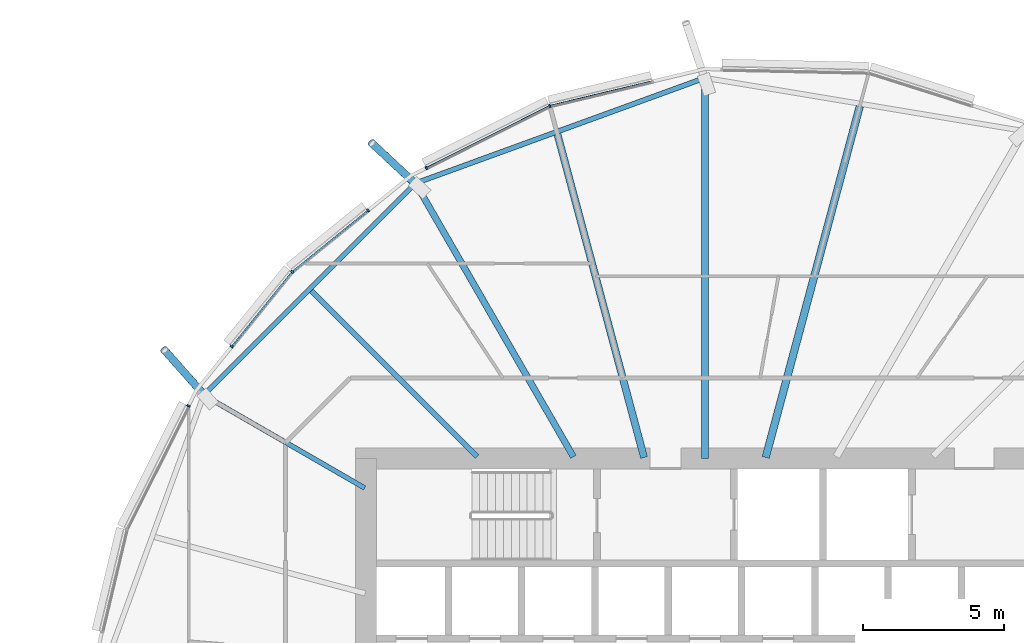
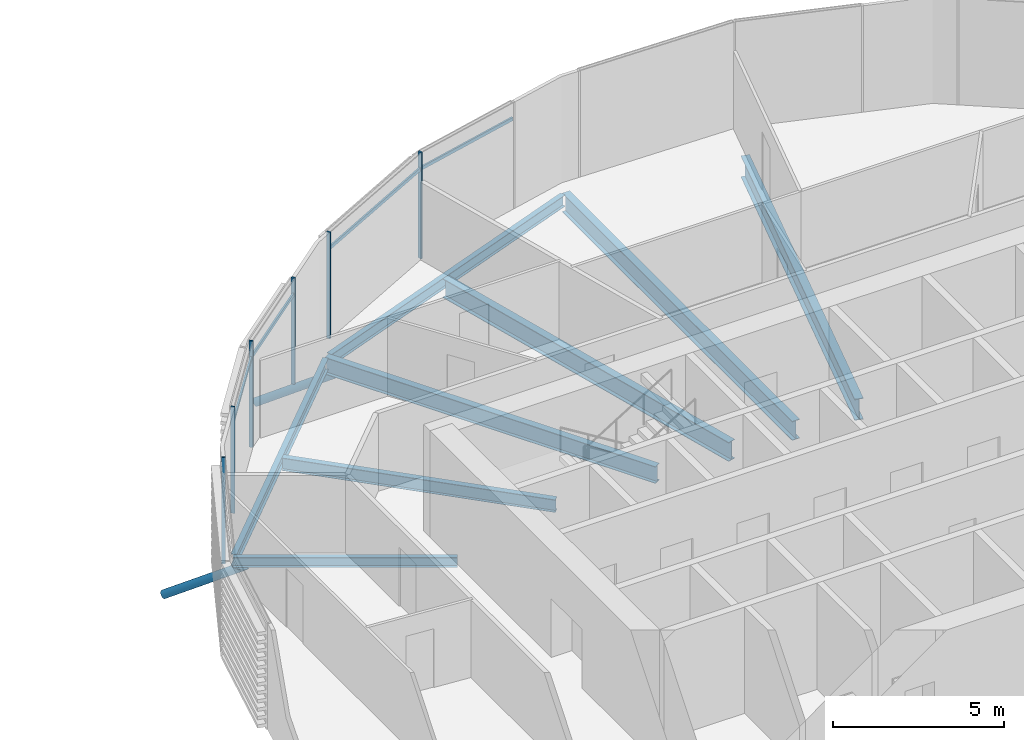
# One storey, part 17 of 38: 12 members, 8 beams, 1 element without a shape of its own.
"""IFC4 building model written with IfcOpenShell, lengths in metres."""

from ifc_helpers import new_model, si_unit, direction, frame, origin, origin_2d, place, context, subcontext, project, spatial, rectangle, hollow_circle, i_section, extrude, clip, halfspace, material, material_profile, profile_set, type_object, element, aggregate, save


model = new_model("IFC4")

# Units and contexts
model_context = context("Model", 3, precision=1e-05, world=origin(), true_north=direction((0.0, 1.0)))
body_context = subcontext(model_context, "Body", "Model", "MODEL_VIEW")
ifc_project = project(units=[si_unit("LENGTHUNIT", "METRE"), si_unit("AREAUNIT", "SQUARE_METRE"), si_unit("VOLUMEUNIT", "CUBIC_METRE"), si_unit("PLANEANGLEUNIT", "RADIAN"), si_unit("MASSUNIT", "GRAM", prefix="KILO")], contexts=[model_context])

# Site, building, storey
site_placement = place(None, origin())
site = spatial("IfcSite", under=ifc_project, at=site_placement, CompositionType="ELEMENT")
building_placement = place(site_placement, origin())
building = spatial("IfcBuilding", under=site, at=building_placement, Name="Rimbun Link Towers", CompositionType="ELEMENT")
storey_placement = place(building_placement, frame((0.0, 0.0, 119.60009765625)))
storey = spatial("IfcBuildingStorey", under=building, at=storey_placement, Name="L29", CompositionType="ELEMENT", Elevation=119.60009765625)

# Curtain wall, members
ifc_material_1 = material(Name="Aluminium 6063-T6 and low-iron glass", Category="aluminium")
curtain_wall_type = type_object("IfcCurtainWallType", Name="CW1-Z2 unitised vision wall (zone 2)", PredefinedType="NOTDEFINED", material=ifc_material_1)
curtain_wall_placement = place(storey_placement, origin())
curtain_wall = element("IfcCurtainWall", 1, at=curtain_wall_placement, inside=storey, type_object=curtain_wall_type, Name="CW1 L29 T2", PredefinedType="NOTDEFINED")
ifc_material_2 = material(Name="Aluminium 6063-T6", Category="aluminium")
ifc_material_profile_1 = material_profile(ifc_material_2, rectangle(XDim=0.1201171875, YDim=0.06005859375, at=origin_2d()), Name="MULLION 60X120")
ifc_profile_set_1 = profile_set([ifc_material_profile_1], Name="Aluminium 6063-T6")
member_type_1 = type_object("IfcMemberType", Name="CW1 mullion 60X120", PredefinedType="MULLION", material=ifc_profile_set_1)
member_1_placement = place(storey_placement, frame((26.25732421875, 20.47802734375, 0.0), z_axis=(0.0, 0.0, 1.0), x_axis=(-0.342974549868, 0.939344696127, 0.0)))
member_1 = element("IfcMember", 2, at=member_1_placement, type_object=member_type_1, Name="CW1 mullion", PredefinedType="MULLION", context=body_context, shape_type="SweptSolid", body=[
    extrude(rectangle(XDim=0.1201171875, YDim=0.06005859375, at=origin_2d()), origin(), (0.0, 0.0, 1.0), 3.7998046875),
])
member_2_placement = place(storey_placement, frame((21.88916015625, 18.28466796875, 0.0), z_axis=(0.0, 0.0, 1.0), x_axis=(-0.448789200311, 0.893637652343, 0.0)))
member_2 = element("IfcMember", 3, at=member_2_placement, type_object=member_type_1, Name="CW1 mullion", PredefinedType="MULLION", context=body_context, shape_type="SweptSolid", body=[
    extrude(rectangle(XDim=0.1201171875, YDim=0.06005859375, at=origin_2d()), origin(), (0.0, 0.0, 1.0), 3.7998046875),
])
member_3_placement = place(storey_placement, frame((17.141845703125, 14.608154296875, 0.0), z_axis=(0.0, 0.0, 1.0), x_axis=(-0.707106781187, 0.707106781187, 0.0)))
member_3 = element("IfcMember", 4, at=member_3_placement, type_object=member_type_1, Name="CW1 mullion", PredefinedType="MULLION", context=body_context, shape_type="SweptSolid", body=[
    extrude(rectangle(XDim=0.1201171875, YDim=0.06005859375, at=origin_2d()), origin(), (0.0, 0.0, 1.0), 3.7998046875),
])
member_4_placement = place(storey_placement, frame((19.826416015625, 16.781494140625, 0.0), z_axis=(0.0, 0.0, 1.0), x_axis=(-0.62915825639, 0.777277227517, 0.0)))
member_4 = element("IfcMember", 5, at=member_4_placement, type_object=member_type_1, Name="CW1 mullion", PredefinedType="MULLION", context=body_context, shape_type="SweptSolid", body=[
    extrude(rectangle(XDim=0.1201171875, YDim=0.06005859375, at=origin_2d()), origin(), (0.0, 0.0, 1.0), 3.7998046875),
])
member_5_placement = place(storey_placement, frame((15.0, 11.96240234375, 0.0), z_axis=(0.0, 0.0, 1.0), x_axis=(-0.777277227517, 0.62915825639, 0.0)))
member_5 = element("IfcMember", 6, at=member_5_placement, type_object=member_type_1, Name="CW1 mullion", PredefinedType="MULLION", context=body_context, shape_type="SweptSolid", body=[
    extrude(rectangle(XDim=0.1201171875, YDim=0.06005859375, at=origin_2d()), origin(), (0.0, 0.0, 1.0), 3.7998046875),
])
member_6_placement = place(storey_placement, frame((13.46533203125, 9.86083984375, 0.0), z_axis=(0.0, 0.0, 1.0), x_axis=(-0.893637652343, 0.448789200311, 0.0)))
member_6 = element("IfcMember", 7, at=member_6_placement, type_object=member_type_1, Name="CW1 mullion", PredefinedType="MULLION", context=body_context, shape_type="SweptSolid", body=[
    extrude(rectangle(XDim=0.1201171875, YDim=0.06005859375, at=origin_2d()), origin(), (0.0, 0.0, 1.0), 3.7998046875),
])
ifc_material_3 = material(Name="Aluminium 6063-T6", Category="aluminium")
ifc_material_profile_2 = material_profile(ifc_material_3, rectangle(XDim=0.06005859375, YDim=0.1201171875, at=origin_2d()), Name="TRANSOM 60X120")
ifc_profile_set_2 = profile_set([ifc_material_profile_2], Name="Aluminium 6063-T6")
member_type_2 = type_object("IfcMemberType", Name="CW1 transom 60X120", PredefinedType="USERDEFINED", material=ifc_profile_set_2)
member_7_placement = place(storey_placement, frame((26.293701171875, 20.485107421875, 3.199951171875), z_axis=(0.972571359766, 0.232604707954, 0.0), x_axis=(-0.232604707954, 0.972571359766, 0.0)))
member_7 = element("IfcMember", 8, at=member_7_placement, type_object=member_type_2, Name="CW1 transom", ObjectType="TRANSOM", PredefinedType="USERDEFINED", context=body_context, shape_type="SweptSolid", body=[
    extrude(rectangle(XDim=0.06005859375, YDim=0.1201171875, at=origin_2d()), origin(), (0.0, 0.0, 1.0), 3.666259765625),
])
member_8_placement = place(storey_placement, frame((21.916748046875, 18.29638671875, 3.199951171875), z_axis=(0.893645973419, 0.44877263084, 0.0), x_axis=(-0.44877263084, 0.893645973419, 0.0)))
member_8 = element("IfcMember", 9, at=member_8_placement, type_object=member_type_2, Name="CW1 transom", ObjectType="TRANSOM", PredefinedType="USERDEFINED", context=body_context, shape_type="SweptSolid", body=[
    extrude(rectangle(XDim=0.06005859375, YDim=0.1201171875, at=origin_2d()), origin(), (0.0, 0.0, 1.0), 4.821044921875),
])
member_9_placement = place(storey_placement, frame((17.171142578125, 14.629638671875, 3.199951171875), z_axis=(0.777270045063, 0.629167129662, 0.0), x_axis=(-0.629167129662, 0.777270045063, 0.0)))
member_9 = element("IfcMember", 10, at=member_9_placement, type_object=member_type_2, Name="CW1 transom", ObjectType="TRANSOM", PredefinedType="USERDEFINED", context=body_context, shape_type="SweptSolid", body=[
    extrude(rectangle(XDim=0.06005859375, YDim=0.1201171875, at=origin_2d()), origin(), (0.0, 0.0, 1.0), 3.387451171875),
])
member_10_placement = place(storey_placement, frame((15.0205078125, 11.984619140625, 3.199951171875), z_axis=(0.629154037675, 0.777280642289, 0.0), x_axis=(-0.777280642289, 0.629154037675, 0.0)))
member_10 = element("IfcMember", 11, at=member_10_placement, type_object=member_type_2, Name="CW1 transom", ObjectType="TRANSOM", PredefinedType="USERDEFINED", context=body_context, shape_type="SweptSolid", body=[
    extrude(rectangle(XDim=0.06005859375, YDim=0.1201171875, at=origin_2d()), origin(), (0.0, 0.0, 1.0), 3.337646484375),
])
aggregate(curtain_wall, [member_1, member_2, member_3, member_4, member_5, member_6, member_7, member_8, member_9, member_10])

# Members
ifc_material_4 = material(Name="Steel S355J2H", Category="steel")
ifc_material_profile_3 = material_profile(ifc_material_4, hollow_circle(Radius=0.136474609375, WallThickness=0.012451171875, at=origin_2d()), Name="CHS 273x12.5")
ifc_profile_set_3 = profile_set([ifc_material_profile_3], Name="Steel S355J2H")
member_type_3 = type_object("IfcMemberType", Name="Floor edge link CHS 273x12.5", PredefinedType="BRACE", material=ifc_profile_set_3)
member_11_placement = place(storey_placement, frame((21.531494140625, 17.69921875, -0.880126953125), z_axis=(-0.63197731085, 0.588502361614, -0.504251573072), x_axis=(-0.681486568047, -0.731830620821, 0.0)))
element("IfcMember", 12, at=member_11_placement, inside=storey, type_object=member_type_3, Name="Floor edge link T2 L29 05", PredefinedType="BRACE", context=body_context, shape_type="Clipping", body=[
    clip(extrude(hollow_circle(Radius=0.136474609375, WallThickness=0.012451171875, at=origin_2d()), frame((0.0, 0.0, -0.4873046875)), (0.0, 0.0, 1.0), 3.02001953125), halfspace(frame((0.0, 0.0, -0.22900390625), z_axis=(0.0, 0.863556802448, -0.504251573072)), False)),
])
member_12_placement = place(storey_placement, frame((14.05078125, 10.218505859375, -0.630126953125), z_axis=(-0.560429537054, 0.633169930827, -0.533867561006), x_axis=(-0.748810088665, -0.662784618947, 0.0)))
element("IfcMember", 13, at=member_12_placement, inside=storey, type_object=member_type_3, Name="Floor edge link T2 L29 07", PredefinedType="BRACE", context=body_context, shape_type="Clipping", body=[
    clip(extrude(hollow_circle(Radius=0.136474609375, WallThickness=0.012451171875, at=origin_2d()), frame((0.0, 0.0, -0.451171875)), (0.0, 0.0, 1.0), 3.05224609375), halfspace(frame((0.0, 0.0, -0.211669921875), z_axis=(0.0, 0.845568109206, -0.533867561006)), False)),
])

# Beams
ifc_material_5 = material(Name="Steel S355J2", Category="steel")
ifc_material_profile_4 = material_profile(ifc_material_5, i_section(OverallWidth=0.17138671875, OverallDepth=0.35498046875, WebThickness=0.00732421875, FlangeThickness=0.011474609375, at=origin_2d()), Name="UB 356x171x51")
ifc_profile_set_4 = profile_set([ifc_material_profile_4], Name="Steel S355J2")
beam_type_1 = type_object("IfcBeamType", Name="UB 356x171x51", PredefinedType="BEAM", material=ifc_profile_set_4)
beam_1_placement = place(storey_placement, frame((19.706298828125, 6.95361328125, -0.337646484375), z_axis=(-0.866033596865, 0.4999858089, 0.0), x_axis=(-0.4999858089, -0.866033596865, 0.0)))
element("IfcBeam", 14, at=beam_1_placement, inside=storey, type_object=beam_type_1, Name="Radial beam T2 L29 07", PredefinedType="BEAM", context=body_context, shape_type="SweptSolid", body=[
    extrude(i_section(OverallWidth=0.17138671875, OverallDepth=0.35498046875, WebThickness=0.00732421875, FlangeThickness=0.011474609375, at=origin_2d()), origin(), (0.0, 0.0, 1.0), 6.580322265625),
])
ifc_material_6 = material(Name="Steel S355J2", Category="steel")
ifc_material_profile_5 = material_profile(ifc_material_6, i_section(OverallWidth=0.177978515625, OverallDepth=0.406494140625, WebThickness=0.0078125, FlangeThickness=0.0126953125, at=origin_2d()), Name="UB 406x178x60")
ifc_profile_set_5 = profile_set([ifc_material_profile_5], Name="Steel S355J2")
beam_type_2 = type_object("IfcBeamType", Name="UB 406x178x60", PredefinedType="BEAM", material=ifc_profile_set_5)
beam_2_placement = place(storey_placement, frame((31.622314453125, 21.4267578125, -0.36328125), z_axis=(-0.939623960717, -0.342208726434, 0.0), x_axis=(0.342208726434, -0.939623960717, 0.0)))
element("IfcBeam", 15, at=beam_2_placement, inside=storey, type_object=beam_type_2, Name="Edge beam T2 L29 03-05", PredefinedType="BEAM", context=body_context, shape_type="SweptSolid", body=[
    extrude(i_section(OverallWidth=0.177978515625, OverallDepth=0.406494140625, WebThickness=0.0078125, FlangeThickness=0.0126953125, at=origin_2d()), origin(), (0.0, 0.0, 1.0), 10.6494140625),
])
beam_3_placement = place(storey_placement, frame((21.42236328125, 17.658447265625, -0.36328125), z_axis=(-0.707106781187, -0.707106781187, 0.0), x_axis=(0.707106781187, -0.707106781187, 0.0)))
element("IfcBeam", 16, at=beam_3_placement, inside=storey, type_object=beam_type_2, Name="Edge beam T2 L29 05-07", PredefinedType="BEAM", context=body_context, shape_type="SweptSolid", body=[
    extrude(i_section(OverallWidth=0.177978515625, OverallDepth=0.406494140625, WebThickness=0.0078125, FlangeThickness=0.0126953125, at=origin_2d()), origin(), (0.0, 0.0, 1.0), 10.396240234375),
])
ifc_material_7 = material(Name="Steel S355J2", Category="steel")
ifc_material_profile_6 = material_profile(ifc_material_7, i_section(OverallWidth=0.18994140625, OverallDepth=0.453369140625, WebThickness=0.008544921875, FlangeThickness=0.0126953125, at=origin_2d()), Name="UB 457x191x67")
ifc_profile_set_6 = profile_set([ifc_material_profile_6], Name="Steel S355J2")
beam_type_3 = type_object("IfcBeamType", Name="UB 457x191x67", PredefinedType="BEAM", material=ifc_profile_set_6)
beam_4_placement = place(storey_placement, frame((23.68212890625, 8.06787109375, -0.38671875), z_axis=(-0.707106781187, 0.707106781187, 0.0), x_axis=(-0.707106781187, -0.707106781187, 0.0)))
element("IfcBeam", 17, at=beam_4_placement, inside=storey, type_object=beam_type_3, Name="Radial beam T2 L29 06", PredefinedType="BEAM", context=body_context, shape_type="SweptSolid", body=[
    extrude(i_section(OverallWidth=0.18994140625, OverallDepth=0.453369140625, WebThickness=0.008544921875, FlangeThickness=0.0126953125, at=origin_2d()), origin(), (0.0, 0.0, 1.0), 8.28955078125),
])
ifc_material_8 = material(Name="Steel S355J2", Category="steel")
ifc_material_profile_7 = material_profile(ifc_material_8, i_section(OverallWidth=0.2275390625, OverallDepth=0.6025390625, WebThickness=0.010498046875, FlangeThickness=0.014892578125, at=origin_2d()), Name="UB 610x229x101")
ifc_profile_set_7 = profile_set([ifc_material_profile_7], Name="Steel S355J2")
beam_type_4 = type_object("IfcBeamType", Name="UB 610x229x101", PredefinedType="BEAM", material=ifc_profile_set_7)
beam_5_placement = place(storey_placement, frame((27.097900390625, 8.057861328125, -0.46142578125), z_axis=(-0.500010962549, 0.866019074461, 0.0), x_axis=(-0.866019074461, -0.500010962549, 0.0)))
element("IfcBeam", 18, at=beam_5_placement, inside=storey, type_object=beam_type_4, Name="Radial beam T2 L29 05", PredefinedType="BEAM", context=body_context, shape_type="SweptSolid", body=[
    extrude(i_section(OverallWidth=0.2275390625, OverallDepth=0.6025390625, WebThickness=0.010498046875, FlangeThickness=0.014892578125, at=origin_2d()), origin(), (0.0, 0.0, 1.0), 11.182861328125),
])
ifc_material_9 = material(Name="Steel S355J2", Category="steel")
ifc_material_profile_8 = material_profile(ifc_material_9, i_section(OverallWidth=0.253662109375, OverallDepth=0.68359375, WebThickness=0.012451171875, FlangeThickness=0.01904296875, at=origin_2d()), Name="UB 686x254x140")
ifc_profile_set_8 = profile_set([ifc_material_profile_8], Name="Steel S355J2")
beam_type_5 = type_object("IfcBeamType", Name="UB 686x254x140", PredefinedType="BEAM", material=ifc_profile_set_8)
beam_6_placement = place(storey_placement, frame((31.75, 8.0009765625, -0.501953125), z_axis=(0.0, 1.0, 0.0), x_axis=(-1.0, 0.0, 0.0)))
element("IfcBeam", 19, at=beam_6_placement, inside=storey, type_object=beam_type_5, Name="Radial beam T2 L29 03", PredefinedType="BEAM", context=body_context, shape_type="SweptSolid", body=[
    extrude(i_section(OverallWidth=0.253662109375, OverallDepth=0.68359375, WebThickness=0.012451171875, FlangeThickness=0.01904296875, at=origin_2d()), origin(), (0.0, 0.0, 1.0), 13.47216796875),
])
beam_7_placement = place(storey_placement, frame((29.597412109375, 8.03369140625, -0.501953125), z_axis=(-0.258818149122, 0.965926066366, 0.0), x_axis=(-0.965926066366, -0.258818149122, 0.0)))
element("IfcBeam", 20, at=beam_7_placement, inside=storey, type_object=beam_type_5, Name="Radial beam T2 L29 04", PredefinedType="BEAM", context=body_context, shape_type="SweptSolid", body=[
    extrude(i_section(OverallWidth=0.253662109375, OverallDepth=0.68359375, WebThickness=0.012451171875, FlangeThickness=0.01904296875, at=origin_2d()), origin(), (0.0, 0.0, 1.0), 11.8466796875),
])
ifc_material_10 = material(Name="Steel S355J2", Category="steel")
ifc_material_profile_9 = material_profile(ifc_material_10, i_section(OverallWidth=0.2666015625, OverallDepth=0.76220703125, WebThickness=0.014404296875, FlangeThickness=0.021484375, at=origin_2d()), Name="UB 762x267x173")
ifc_profile_set_9 = profile_set([ifc_material_profile_9], Name="Steel S355J2")
beam_type_6 = type_object("IfcBeamType", Name="UB 762x267x173", PredefinedType="BEAM", material=ifc_profile_set_9)
beam_8_placement = place(storey_placement, frame((33.903076171875, 8.035400390625, -0.541259765625), z_axis=(0.258816984012, 0.965926378554, 0.0), x_axis=(-0.965926378554, 0.258816984012, 0.0)))
element("IfcBeam", 21, at=beam_8_placement, inside=storey, type_object=beam_type_6, Name="Radial beam T2 L29 02", PredefinedType="BEAM", context=body_context, shape_type="SweptSolid", body=[
    extrude(i_section(OverallWidth=0.2666015625, OverallDepth=0.76220703125, WebThickness=0.014404296875, FlangeThickness=0.021484375, at=origin_2d()), origin(), (0.0, 0.0, 1.0), 12.872314453125),
])

save(model, "model.ifc")
